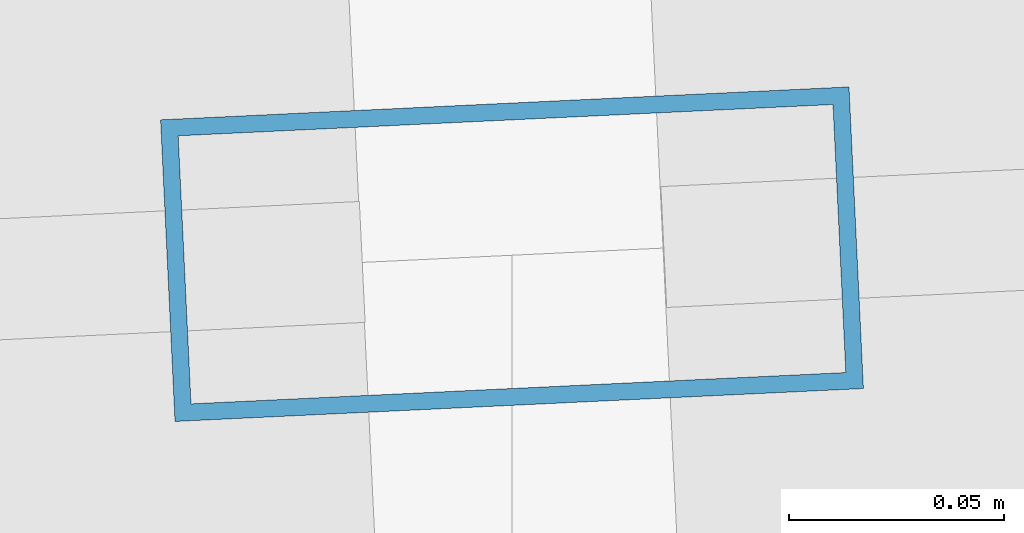
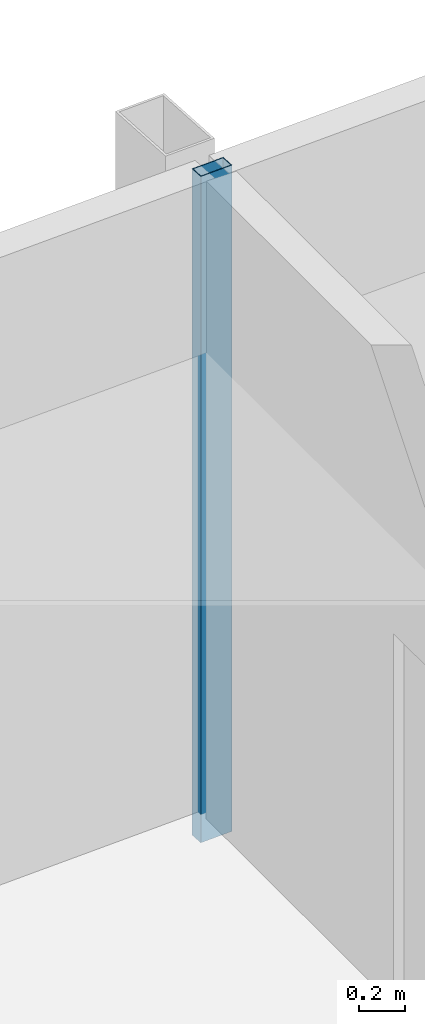
# One storey, part 18 of 35: 1 member, 1 element without a shape of its own.
"""IFC4 building model written with IfcOpenShell, lengths in metres."""

from ifc_helpers import new_model, si_unit, direction, frame, origin, origin_2d, place, context, subcontext, project, spatial, hollow_rectangle, extrude, material, material_profile, profile_set, type_object, element, aggregate, save


model = new_model("IFC4")

# Units and contexts
model_context = context("Model", 3, precision=1e-05, world=origin(), true_north=direction((0.0, 1.0)))
body_context = subcontext(model_context, "Body", "Model", "MODEL_VIEW")
ifc_project = project(units=[si_unit("LENGTHUNIT", "METRE"), si_unit("AREAUNIT", "SQUARE_METRE"), si_unit("VOLUMEUNIT", "CUBIC_METRE"), si_unit("PLANEANGLEUNIT", "RADIAN"), si_unit("MASSUNIT", "GRAM", prefix="KILO")], contexts=[model_context])

# Site, building, storey
site_placement = place(None, origin())
site = spatial("IfcSite", under=ifc_project, at=site_placement, CompositionType="ELEMENT")
building_placement = place(site_placement, origin())
building = spatial("IfcBuilding", under=site, at=building_placement, Name="Rekha Terrace Tower", CompositionType="ELEMENT")
storey_placement = place(building_placement, frame((0.0, 0.0, 191.449951171875)))
storey = spatial("IfcBuildingStorey", under=building, at=storey_placement, Name="L48", CompositionType="ELEMENT", Elevation=191.449951171875)

# Curtain wall, member
ifc_material_1 = material(Name="Aluminium framing", Category="aluminium")
curtain_wall_type = type_object("IfcCurtainWallType", Name="CW3 north unitised glazing", PredefinedType="USERDEFINED", material=ifc_material_1)
curtain_wall_placement = place(storey_placement, origin())
curtain_wall = element("IfcCurtainWall", 1, at=curtain_wall_placement, inside=storey, type_object=curtain_wall_type, Name="CW3 unitised curtain wall", ObjectType="UNITISED CURTAIN WALL", PredefinedType="USERDEFINED")
ifc_material_2 = material(Name="Aluminium mullion section", Category="aluminium")
ifc_material_profile = material_profile(ifc_material_2, hollow_rectangle(XDim=0.070068359375, YDim=0.159912109375, WallThickness=0.00390625, at=origin_2d()), Name="AL RHS 70x160")
ifc_profile_set = profile_set([ifc_material_profile], Name="Aluminium mullion section")
member_type = type_object("IfcMemberType", Name="CW3 mullion RHS 70 x 160", PredefinedType="MULLION", material=ifc_profile_set)
member_placement = place(storey_placement, frame((38.570068359375, 61.771240234375, 0.0), z_axis=(0.0, 0.0, 1.0), x_axis=(0.047758616983, -0.998858906204, 0.0)))
member = element("IfcMember", 2, at=member_placement, type_object=member_type, Name="CW3 mullion 2", PredefinedType="MULLION", context=body_context, shape_type="SweptSolid", body=[
    extrude(hollow_rectangle(XDim=0.070068359375, YDim=0.159912109375, WallThickness=0.00390625, at=origin_2d()), origin(), (0.0, 0.0, 1.0), 3.5),
])
aggregate(curtain_wall, [member])

save(model, "model.ifc")
